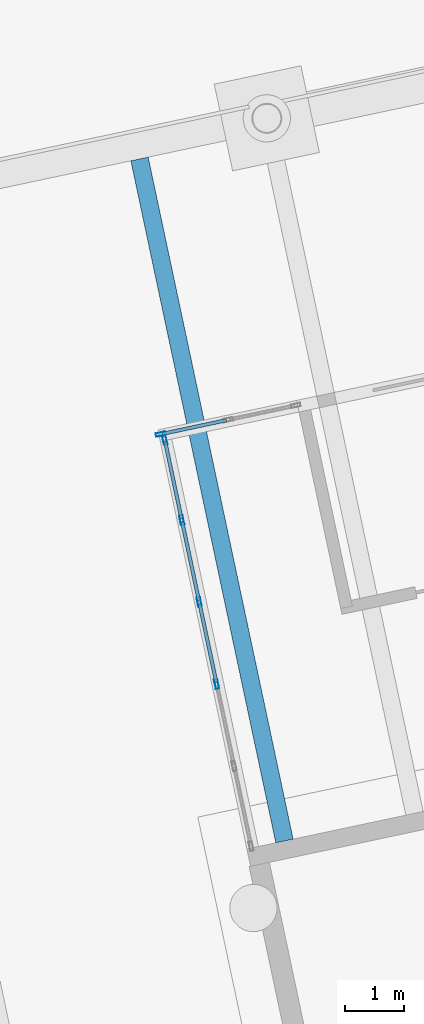
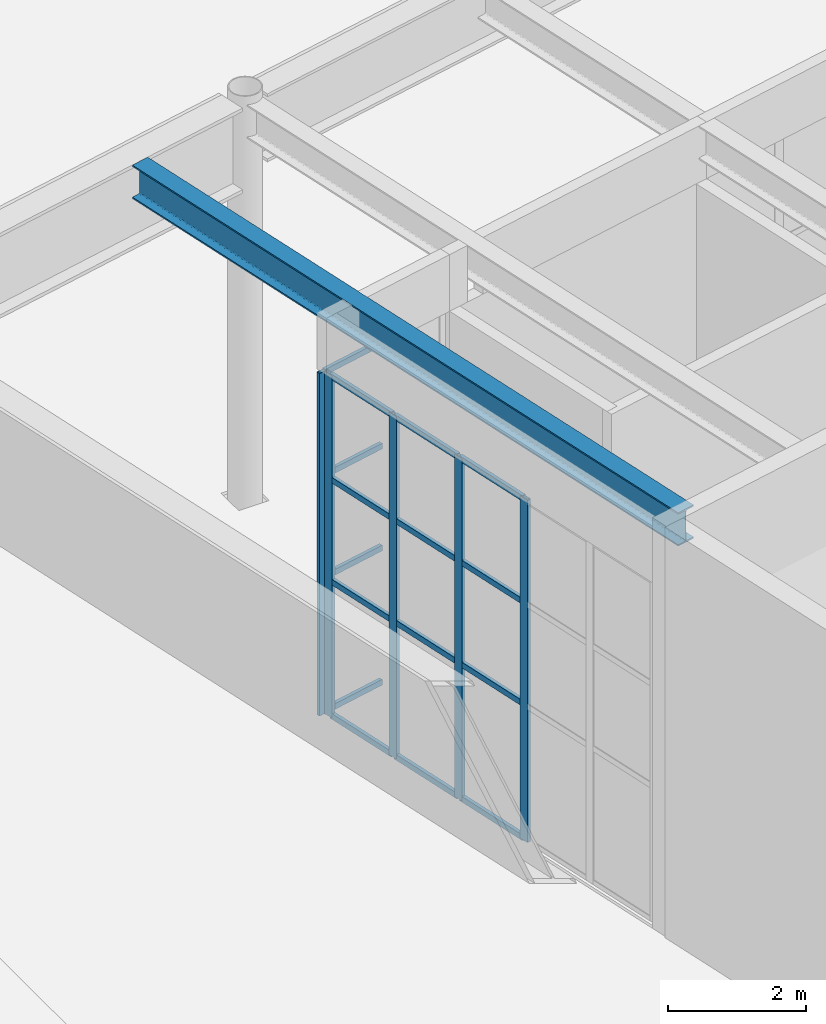
# One storey, part 49 of 239: 21 members, 1 beam, 2 elements without a shape of their own.
"""IFC4 building model written with IfcOpenShell, lengths in metres."""

from ifc_helpers import new_model, si_unit, direction, frame, origin, origin_2d, place, context, subcontext, project, spatial, hollow_rectangle, i_section, extrude, material, material_profile, profile_set, type_object, element, aggregate, save


model = new_model("IFC4")

# Units and contexts
model_context = context("Model", 3, precision=1e-05, world=origin(), true_north=direction((0.0, 1.0)))
body_context = subcontext(model_context, "Body", "Model", "MODEL_VIEW")
ifc_project = project(units=[si_unit("LENGTHUNIT", "METRE"), si_unit("AREAUNIT", "SQUARE_METRE"), si_unit("VOLUMEUNIT", "CUBIC_METRE"), si_unit("PLANEANGLEUNIT", "RADIAN"), si_unit("MASSUNIT", "GRAM", prefix="KILO")], contexts=[model_context])

# Site, building, storey
site_placement = place(None, origin())
site = spatial("IfcSite", under=ifc_project, at=site_placement, CompositionType="ELEMENT")
building_placement = place(site_placement, origin())
building = spatial("IfcBuilding", under=site, at=building_placement, Name="Okhra Congress Centre", CompositionType="ELEMENT")
storey_placement = place(building_placement, origin())
storey = spatial("IfcBuildingStorey", under=building, at=storey_placement, Name="L00", CompositionType="ELEMENT", Elevation=0.0)

# Curtain wall, member
ifc_material_1 = material(Name="Aluminium curtain wall, triple glazing", Category="aluminium")
curtain_wall_type = type_object("IfcCurtainWallType", Name="Curtain wall 1500 module", PredefinedType="NOTDEFINED", material=ifc_material_1)
curtain_wall_1_placement = place(storey_placement, origin())
curtain_wall_1 = element("IfcCurtainWall", 1, at=curtain_wall_1_placement, inside=storey, type_object=curtain_wall_type, Name="Ground curtain wall N6", PredefinedType="NOTDEFINED")
ifc_material_2 = material(Name="Aluminium alloy EN AW-6063 T66", Category="aluminium")
ifc_material_profile_1 = material_profile(ifc_material_2, hollow_rectangle(XDim=0.06005859375, YDim=0.159912109375, WallThickness=0.00390625, at=origin_2d()), Name="RHS 60x160x4")
ifc_profile_set_1 = profile_set([ifc_material_profile_1], Name="Aluminium alloy EN AW-6063 T66")
member_type_1 = type_object("IfcMemberType", Name="Curtain wall mullion 60x160", PredefinedType="MULLION", material=ifc_profile_set_1)
member_1_placement = place(storey_placement, frame((63.026611328125, 46.810302734375, 0.0), z_axis=(0.0, 0.0, 1.0), x_axis=(-0.207911690818, 0.978147600734, 0.0)))
member_1 = element("IfcMember", 2, at=member_1_placement, type_object=member_type_1, Name="CW7 mullion 1", PredefinedType="MULLION", context=body_context, shape_type="SweptSolid", body=[
    extrude(hollow_rectangle(XDim=0.06005859375, YDim=0.159912109375, WallThickness=0.00390625, at=origin_2d()), origin(), (0.0, 0.0, 1.0), 6.050048828125),
])

# Curtain wall, members
curtain_wall_2_placement = place(storey_placement, origin())
curtain_wall_2 = element("IfcCurtainWall", 3, at=curtain_wall_2_placement, inside=storey, type_object=curtain_wall_type, Name="Ground curtain wall W12", PredefinedType="NOTDEFINED")
member_2_placement = place(storey_placement, frame((63.9765625, 42.58154296875, 0.0), z_axis=(0.0, 0.0, 1.0), x_axis=(-0.978147600734, -0.207911690818, 0.0)))
member_2 = element("IfcMember", 4, at=member_2_placement, type_object=member_type_1, Name="CW7 mullion 3", PredefinedType="MULLION", context=body_context, shape_type="SweptSolid", body=[
    extrude(hollow_rectangle(XDim=0.06005859375, YDim=0.159912109375, WallThickness=0.00390625, at=origin_2d()), origin(), (0.0, 0.0, 1.0), 6.050048828125),
])
member_3_placement = place(storey_placement, frame((63.681640625, 43.968505859375, 0.0), z_axis=(0.0, 0.0, 1.0), x_axis=(-0.978147600734, -0.207911690818, 0.0)))
member_3 = element("IfcMember", 5, at=member_3_placement, type_object=member_type_1, Name="CW7 mullion 4", PredefinedType="MULLION", context=body_context, shape_type="SweptSolid", body=[
    extrude(hollow_rectangle(XDim=0.06005859375, YDim=0.159912109375, WallThickness=0.00390625, at=origin_2d()), origin(), (0.0, 0.0, 1.0), 6.050048828125),
])
member_4_placement = place(storey_placement, frame((63.386962890625, 45.35546875, 0.0), z_axis=(0.0, 0.0, 1.0), x_axis=(-0.978147600734, -0.207911690818, 0.0)))
member_4 = element("IfcMember", 6, at=member_4_placement, type_object=member_type_1, Name="CW7 mullion 5", PredefinedType="MULLION", context=body_context, shape_type="SweptSolid", body=[
    extrude(hollow_rectangle(XDim=0.06005859375, YDim=0.159912109375, WallThickness=0.00390625, at=origin_2d()), origin(), (0.0, 0.0, 1.0), 6.050048828125),
])
member_5_placement = place(storey_placement, frame((63.098388671875, 46.713134765625, 0.0), z_axis=(0.0, 0.0, 1.0), x_axis=(-0.978147600734, -0.207911690818, 0.0)))
member_5 = element("IfcMember", 7, at=member_5_placement, type_object=member_type_1, Name="CW7 mullion 6", PredefinedType="MULLION", context=body_context, shape_type="SweptSolid", body=[
    extrude(hollow_rectangle(XDim=0.06005859375, YDim=0.159912109375, WallThickness=0.00390625, at=origin_2d()), origin(), (0.0, 0.0, 1.0), 6.050048828125),
])

# Member
ifc_material_profile_2 = material_profile(ifc_material_2, hollow_rectangle(XDim=0.06005859375, YDim=0.10009765625, WallThickness=0.00390625, at=origin_2d()), Name="RHS 60x100x4")
ifc_profile_set_2 = profile_set([ifc_material_profile_2], Name="Aluminium alloy EN AW-6063 T66")
member_type_2 = type_object("IfcMemberType", Name="Curtain wall transom 60x100", PredefinedType="USERDEFINED", material=ifc_profile_set_2)
member_6_placement = place(storey_placement, frame((63.055908203125, 46.816650390625, 0.030029296875), z_axis=(0.978158291891, 0.207861386516, 0.0), x_axis=(-0.207861386516, 0.978158291891, 0.0)))
member_6 = element("IfcMember", 8, at=member_6_placement, type_object=member_type_2, Name="CW7 transom 1.1", ObjectType="TRANSOM", PredefinedType="USERDEFINED", context=body_context, shape_type="SweptSolid", body=[
    extrude(hollow_rectangle(XDim=0.06005859375, YDim=0.10009765625, WallThickness=0.00390625, at=origin_2d()), origin(), (0.0, 0.0, 1.0), 1.10986328125),
])

member_7_placement = place(storey_placement, frame((63.055908203125, 46.816650390625, 2.39990234375), z_axis=(0.978158291891, 0.207861386516, 0.0), x_axis=(-0.207861386516, 0.978158291891, 0.0)))
member_7 = element("IfcMember", 9, at=member_7_placement, type_object=member_type_2, Name="CW7 transom 1.2", ObjectType="TRANSOM", PredefinedType="USERDEFINED", context=body_context, shape_type="SweptSolid", body=[
    extrude(hollow_rectangle(XDim=0.06005859375, YDim=0.10009765625, WallThickness=0.00390625, at=origin_2d()), origin(), (0.0, 0.0, 1.0), 1.10986328125),
])

member_8_placement = place(storey_placement, frame((63.055908203125, 46.816650390625, 4.199951171875), z_axis=(0.978158291891, 0.207861386516, 0.0), x_axis=(-0.207861386516, 0.978158291891, 0.0)))
member_8 = element("IfcMember", 10, at=member_8_placement, type_object=member_type_2, Name="CW7 transom 1.3", ObjectType="TRANSOM", PredefinedType="USERDEFINED", context=body_context, shape_type="SweptSolid", body=[
    extrude(hollow_rectangle(XDim=0.06005859375, YDim=0.10009765625, WallThickness=0.00390625, at=origin_2d()), origin(), (0.0, 0.0, 1.0), 1.10986328125),
])

member_9_placement = place(storey_placement, frame((63.055908203125, 46.816650390625, 6.02001953125), z_axis=(0.978158291891, 0.207861386516, 0.0), x_axis=(-0.207861386516, 0.978158291891, 0.0)))
member_9 = element("IfcMember", 11, at=member_9_placement, type_object=member_type_2, Name="CW7 transom 1.4", ObjectType="TRANSOM", PredefinedType="USERDEFINED", context=body_context, shape_type="SweptSolid", body=[
    extrude(hollow_rectangle(XDim=0.06005859375, YDim=0.10009765625, WallThickness=0.00390625, at=origin_2d()), origin(), (0.0, 0.0, 1.0), 1.10986328125),
])

aggregate(curtain_wall_1, [member_1, member_6, member_7, member_8, member_9])

member_10_placement = place(storey_placement, frame((63.97021484375, 42.61083984375, 0.030029296875), z_axis=(-0.207822203618, 0.978166617547, 0.0), x_axis=(-0.978166617547, -0.207822203618, 0.0)))
member_10 = element("IfcMember", 12, at=member_10_placement, type_object=member_type_2, Name="CW7 transom 3.1", ObjectType="TRANSOM", PredefinedType="USERDEFINED", context=body_context, shape_type="SweptSolid", body=[
    extrude(hollow_rectangle(XDim=0.06005859375, YDim=0.10009765625, WallThickness=0.00390625, at=origin_2d()), origin(), (0.0, 0.0, 1.0), 1.35791015625),
])

member_11_placement = place(storey_placement, frame((63.97021484375, 42.61083984375, 2.39990234375), z_axis=(-0.207822203618, 0.978166617547, 0.0), x_axis=(-0.978166617547, -0.207822203618, 0.0)))
member_11 = element("IfcMember", 13, at=member_11_placement, type_object=member_type_2, Name="CW7 transom 3.2", ObjectType="TRANSOM", PredefinedType="USERDEFINED", context=body_context, shape_type="SweptSolid", body=[
    extrude(hollow_rectangle(XDim=0.06005859375, YDim=0.10009765625, WallThickness=0.00390625, at=origin_2d()), origin(), (0.0, 0.0, 1.0), 1.35791015625),
])

member_12_placement = place(storey_placement, frame((63.97021484375, 42.61083984375, 4.199951171875), z_axis=(-0.207822203618, 0.978166617547, 0.0), x_axis=(-0.978166617547, -0.207822203618, 0.0)))
member_12 = element("IfcMember", 14, at=member_12_placement, type_object=member_type_2, Name="CW7 transom 3.3", ObjectType="TRANSOM", PredefinedType="USERDEFINED", context=body_context, shape_type="SweptSolid", body=[
    extrude(hollow_rectangle(XDim=0.06005859375, YDim=0.10009765625, WallThickness=0.00390625, at=origin_2d()), origin(), (0.0, 0.0, 1.0), 1.35791015625),
])

member_13_placement = place(storey_placement, frame((63.97021484375, 42.61083984375, 6.02001953125), z_axis=(-0.207822203618, 0.978166617547, 0.0), x_axis=(-0.978166617547, -0.207822203618, 0.0)))
member_13 = element("IfcMember", 15, at=member_13_placement, type_object=member_type_2, Name="CW7 transom 3.4", ObjectType="TRANSOM", PredefinedType="USERDEFINED", context=body_context, shape_type="SweptSolid", body=[
    extrude(hollow_rectangle(XDim=0.06005859375, YDim=0.10009765625, WallThickness=0.00390625, at=origin_2d()), origin(), (0.0, 0.0, 1.0), 1.35791015625),
])

member_14_placement = place(storey_placement, frame((63.675537109375, 43.997802734375, 0.030029296875), z_axis=(-0.207994206388, 0.97813005787, 0.0), x_axis=(-0.97813005787, -0.207994206388, 0.0)))
member_14 = element("IfcMember", 16, at=member_14_placement, type_object=member_type_2, Name="CW7 transom 4.1", ObjectType="TRANSOM", PredefinedType="USERDEFINED", context=body_context, shape_type="SweptSolid", body=[
    extrude(hollow_rectangle(XDim=0.06005859375, YDim=0.10009765625, WallThickness=0.00390625, at=origin_2d()), origin(), (0.0, 0.0, 1.0), 1.358154296875),
])

member_15_placement = place(storey_placement, frame((63.675537109375, 43.997802734375, 2.39990234375), z_axis=(-0.207994206388, 0.97813005787, 0.0), x_axis=(-0.97813005787, -0.207994206388, 0.0)))
member_15 = element("IfcMember", 17, at=member_15_placement, type_object=member_type_2, Name="CW7 transom 4.2", ObjectType="TRANSOM", PredefinedType="USERDEFINED", context=body_context, shape_type="SweptSolid", body=[
    extrude(hollow_rectangle(XDim=0.06005859375, YDim=0.10009765625, WallThickness=0.00390625, at=origin_2d()), origin(), (0.0, 0.0, 1.0), 1.358154296875),
])

member_16_placement = place(storey_placement, frame((63.675537109375, 43.997802734375, 4.199951171875), z_axis=(-0.207994206388, 0.97813005787, 0.0), x_axis=(-0.97813005787, -0.207994206388, 0.0)))
member_16 = element("IfcMember", 18, at=member_16_placement, type_object=member_type_2, Name="CW7 transom 4.3", ObjectType="TRANSOM", PredefinedType="USERDEFINED", context=body_context, shape_type="SweptSolid", body=[
    extrude(hollow_rectangle(XDim=0.06005859375, YDim=0.10009765625, WallThickness=0.00390625, at=origin_2d()), origin(), (0.0, 0.0, 1.0), 1.358154296875),
])

member_17_placement = place(storey_placement, frame((63.675537109375, 43.997802734375, 6.02001953125), z_axis=(-0.207994206388, 0.97813005787, 0.0), x_axis=(-0.97813005787, -0.207994206388, 0.0)))
member_17 = element("IfcMember", 19, at=member_17_placement, type_object=member_type_2, Name="CW7 transom 4.4", ObjectType="TRANSOM", PredefinedType="USERDEFINED", context=body_context, shape_type="SweptSolid", body=[
    extrude(hollow_rectangle(XDim=0.06005859375, YDim=0.10009765625, WallThickness=0.00390625, at=origin_2d()), origin(), (0.0, 0.0, 1.0), 1.358154296875),
])

member_18_placement = place(storey_placement, frame((63.380615234375, 45.384765625, 0.030029296875), z_axis=(-0.207909322635, 0.978148104104, 0.0), x_axis=(-0.978148104104, -0.207909322635, 0.0)))
member_18 = element("IfcMember", 20, at=member_18_placement, type_object=member_type_2, Name="CW7 transom 5.1", ObjectType="TRANSOM", PredefinedType="USERDEFINED", context=body_context, shape_type="SweptSolid", body=[
    extrude(hollow_rectangle(XDim=0.06005859375, YDim=0.10009765625, WallThickness=0.00390625, at=origin_2d()), origin(), (0.0, 0.0, 1.0), 1.328125),
])

member_19_placement = place(storey_placement, frame((63.380615234375, 45.384765625, 2.39990234375), z_axis=(-0.207909322635, 0.978148104104, 0.0), x_axis=(-0.978148104104, -0.207909322635, 0.0)))
member_19 = element("IfcMember", 21, at=member_19_placement, type_object=member_type_2, Name="CW7 transom 5.2", ObjectType="TRANSOM", PredefinedType="USERDEFINED", context=body_context, shape_type="SweptSolid", body=[
    extrude(hollow_rectangle(XDim=0.06005859375, YDim=0.10009765625, WallThickness=0.00390625, at=origin_2d()), origin(), (0.0, 0.0, 1.0), 1.328125),
])

member_20_placement = place(storey_placement, frame((63.380615234375, 45.384765625, 4.199951171875), z_axis=(-0.207909322635, 0.978148104104, 0.0), x_axis=(-0.978148104104, -0.207909322635, 0.0)))
member_20 = element("IfcMember", 22, at=member_20_placement, type_object=member_type_2, Name="CW7 transom 5.3", ObjectType="TRANSOM", PredefinedType="USERDEFINED", context=body_context, shape_type="SweptSolid", body=[
    extrude(hollow_rectangle(XDim=0.06005859375, YDim=0.10009765625, WallThickness=0.00390625, at=origin_2d()), origin(), (0.0, 0.0, 1.0), 1.328125),
])

member_21_placement = place(storey_placement, frame((63.380615234375, 45.384765625, 6.02001953125), z_axis=(-0.207909322635, 0.978148104104, 0.0), x_axis=(-0.978148104104, -0.207909322635, 0.0)))
member_21 = element("IfcMember", 23, at=member_21_placement, type_object=member_type_2, Name="CW7 transom 5.4", ObjectType="TRANSOM", PredefinedType="USERDEFINED", context=body_context, shape_type="SweptSolid", body=[
    extrude(hollow_rectangle(XDim=0.06005859375, YDim=0.10009765625, WallThickness=0.00390625, at=origin_2d()), origin(), (0.0, 0.0, 1.0), 1.328125),
])

aggregate(curtain_wall_2, [member_2, member_3, member_4, member_5, member_10, member_11, member_12, member_13, member_14, member_15, member_16, member_17, member_18, member_19, member_20, member_21])

# Beam
ifc_material_3 = material(Name="Steel S355J2", Category="steel")
ifc_material_profile_3 = material_profile(ifc_material_3, i_section(OverallWidth=0.300048828125, OverallDepth=0.590087890625, WebThickness=0.012939453125, FlangeThickness=0.02490234375, FilletRadius=0.027099609375, at=origin_2d()), Name="HE 600 A")
ifc_profile_set_3 = profile_set([ifc_material_profile_3], Name="Steel S355J2")
beam_type = type_object("IfcBeamType", Name="Floor beam HE 600 A", PredefinedType="BEAM", material=ifc_profile_set_3)
beam_placement = place(storey_placement, frame((65.123779296875, 39.926025390625, 6.7548828125), z_axis=(-0.207915174681, 0.978146860209, 0.0), x_axis=(-0.978146860209, -0.207915174681, 0.0)))
element("IfcBeam", 24, at=beam_placement, inside=storey, type_object=beam_type, Name="Floor beam 1.2", PredefinedType="BEAM", context=body_context, shape_type="SweptSolid", body=[
    extrude(i_section(OverallWidth=0.300048828125, OverallDepth=0.590087890625, WebThickness=0.012939453125, FlangeThickness=0.02490234375, FilletRadius=0.027099609375, at=origin_2d()), origin(), (0.0, 0.0, 1.0), 11.7998046875),
])

save(model, "model.ifc")
